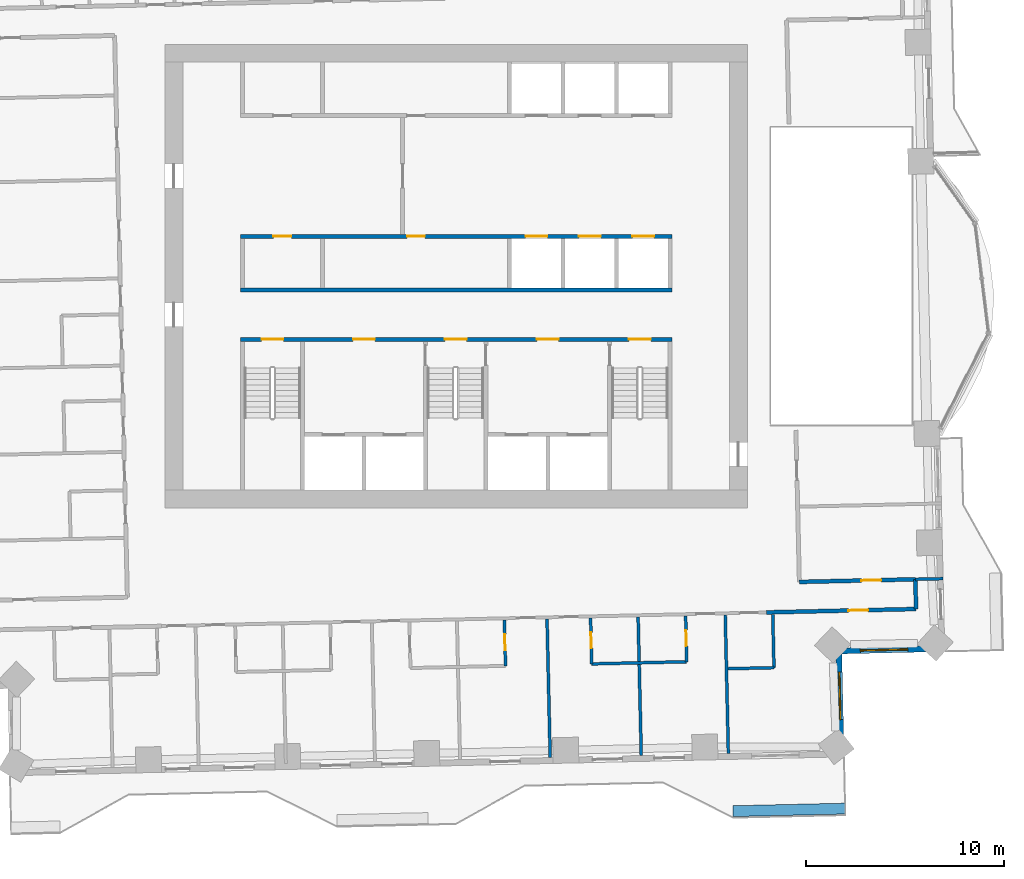
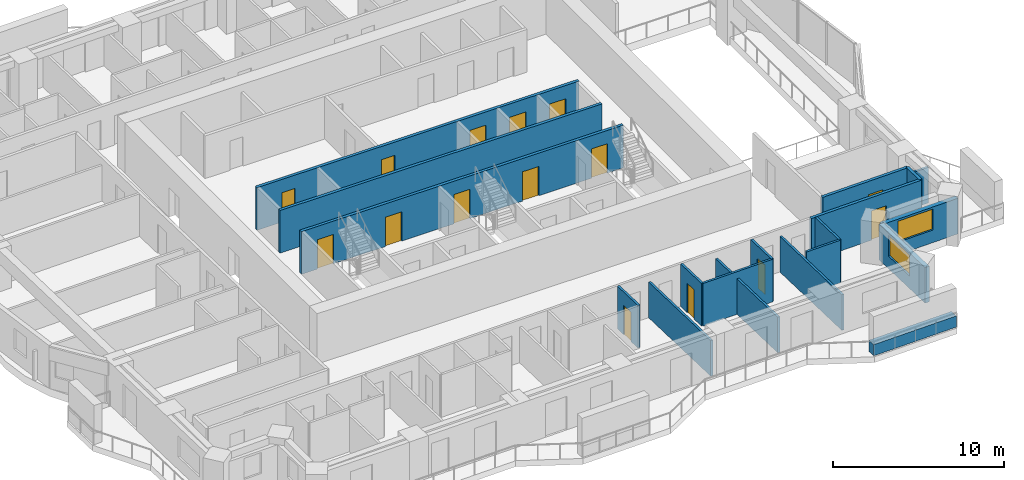
# One storey, part 8 of 16: 19 walls, 15 doors, 2 windows, 17 openings.
"""IFC4 building model written with IfcOpenShell, lengths in metres."""

from ifc_helpers import new_model, si_unit, direction, frame, frame_2d, origin, place, context, subcontext, project, spatial, rectangle, extrude, material, layer, layer_set, type_object, element, fill, save


model = new_model("IFC4")

# Units and contexts
model_context = context("Model", 3, precision=1e-05, world=origin(), true_north=direction((0.0, 1.0)))
body_context = subcontext(model_context, "Body", "Model", "MODEL_VIEW")
ifc_project = project(units=[si_unit("LENGTHUNIT", "METRE"), si_unit("AREAUNIT", "SQUARE_METRE"), si_unit("VOLUMEUNIT", "CUBIC_METRE"), si_unit("PLANEANGLEUNIT", "RADIAN"), si_unit("MASSUNIT", "GRAM", prefix="KILO")], contexts=[model_context])

# Site, building, storey
site_placement = place(None, origin())
site = spatial("IfcSite", under=ifc_project, at=site_placement, CompositionType="ELEMENT")
building_placement = place(site_placement, origin())
building = spatial("IfcBuilding", under=site, at=building_placement, Name="Mangrove Gate Tower", CompositionType="ELEMENT")
storey_placement = place(building_placement, frame((0.0, 0.0, 140.89990234375)))
storey = spatial("IfcBuildingStorey", under=building, at=storey_placement, Name="L35", CompositionType="ELEMENT", Elevation=140.89990234375)

# Wall
ifc_material_1 = material(Name="Concrete C70/85", Category="concrete")
ifc_layer_1 = layer(ifc_material_1, 0.199951171875)
ifc_layer_set_1 = layer_set([ifc_layer_1], Name="Core shaft wall 200 C70/85")
wall_type_1 = type_object("IfcWallType", Name="Core shaft wall 200 C70/85", PredefinedType="SHEAR", material=ifc_layer_set_1)
wall_1_placement = place(storey_placement, frame((-10.89990234375, -0.699951171875, 0.0), z_axis=(0.0, 0.0, 1.0), x_axis=(1.0, 0.0, 0.0)))
element("IfcWall", 1, at=wall_1_placement, inside=storey, type_object=wall_type_1, Name="WALL-L35-CORE-6", PredefinedType="SHEAR", context=body_context, shape_type="SweptSolid", body=[
    extrude(rectangle(XDim=21.7998046875, YDim=0.199951171875, at=frame_2d((10.89990234375, 0.0))), origin(), (0.0, 0.0, 1.0), 3.050048828125),
])

# Wall, openings, doors
wall_2_placement = place(storey_placement, frame((-10.89990234375, 2.0, 0.0), z_axis=(0.0, 0.0, 1.0), x_axis=(1.0, 0.0, 0.0)))
wall_2 = element("IfcWall", 2, at=wall_2_placement, inside=storey, type_object=wall_type_1, Name="WALL-L35-CORE-7", PredefinedType="SHEAR", context=body_context, shape_type="SweptSolid", body=[
    extrude(rectangle(XDim=21.7998046875, YDim=0.199951171875, at=frame_2d((10.89990234375, 0.0))), origin(), (0.0, 0.0, 1.0), 3.050048828125),
])
opening_1_placement = place(wall_2_placement, frame((14.39990234375, 0.0, 0.0)))
opening_1 = element("IfcOpeningElement", 3, at=opening_1_placement, cuts=wall_2, Name="Opening LD", PredefinedType="OPENING", context=body_context, shape_type="SweptSolid", body=[
    extrude(rectangle(XDim=1.10009765625, YDim=2.10009765625, at=frame_2d((0.550048828125, 1.050048828125))), frame((0.0, 0.10986328125, 0.0), z_axis=(0.0, -1.0, 0.0), x_axis=(1.0, 0.0, 0.0)), (0.0, 0.0, 1.0), 0.219970703125),
])
opening_2_placement = place(wall_2_placement, frame((17.10009765625, 0.0, 0.0)))
opening_2 = element("IfcOpeningElement", 4, at=opening_2_placement, cuts=wall_2, Name="Opening LD", PredefinedType="OPENING", context=body_context, shape_type="SweptSolid", body=[
    extrude(rectangle(XDim=1.10009765625, YDim=2.10009765625, at=frame_2d((0.550048828125, 1.050048828125))), frame((0.0, 0.10986328125, 0.0), z_axis=(0.0, -1.0, 0.0), x_axis=(1.0, 0.0, 0.0)), (0.0, 0.0, 1.0), 0.219970703125),
])
opening_3_placement = place(wall_2_placement, frame((19.800048828125, 0.0, 0.0)))
opening_3 = element("IfcOpeningElement", 5, at=opening_3_placement, cuts=wall_2, Name="Opening LD", PredefinedType="OPENING", context=body_context, shape_type="SweptSolid", body=[
    extrude(rectangle(XDim=1.10009765625, YDim=2.10009765625, at=frame_2d((0.550048828125, 1.050048828125))), frame((0.0, 0.10986328125, 0.0), z_axis=(0.0, -1.0, 0.0), x_axis=(1.0, 0.0, 0.0)), (0.0, 0.0, 1.0), 0.219970703125),
])
opening_4_placement = place(wall_2_placement, frame((1.675048828125, 0.0, 0.0)))
opening_4 = element("IfcOpeningElement", 6, at=opening_4_placement, cuts=wall_2, Name="Opening KD", PredefinedType="OPENING", context=body_context, shape_type="SweptSolid", body=[
    extrude(rectangle(XDim=0.89990234375, YDim=2.10009765625, at=frame_2d((0.449951171875, 1.050048828125))), frame((0.0, 0.10986328125, 0.0), z_axis=(0.0, -1.0, 0.0), x_axis=(1.0, 0.0, 0.0)), (0.0, 0.0, 1.0), 0.219970703125),
])
opening_5_placement = place(wall_2_placement, frame((8.425048828125, 0.0, 0.0)))
opening_5 = element("IfcOpeningElement", 7, at=opening_5_placement, cuts=wall_2, Name="Opening RD", PredefinedType="OPENING", context=body_context, shape_type="SweptSolid", body=[
    extrude(rectangle(XDim=0.89990234375, YDim=2.10009765625, at=frame_2d((0.449951171875, 1.050048828125))), frame((0.0, 0.10986328125, 0.0), z_axis=(0.0, -1.0, 0.0), x_axis=(1.0, 0.0, 0.0)), (0.0, 0.0, 1.0), 0.219970703125),
])
ifc_material_2 = material(Name="Fire-rated steel door set", Category="steel")
door_type_1 = type_object("IfcDoorType", Name="Core room door FD30S 900x2100", OperationType="SINGLE_SWING_RIGHT", PredefinedType="DOOR", material=ifc_material_2)
door_1_placement = place(opening_4_placement, origin())
door_1 = element("IfcDoor", 8, at=door_1_placement, inside=storey, type_object=door_type_1, Name="Core room door Refuse store", OperationType="SINGLE_SWING_RIGHT", OverallHeight=2.10009765625, OverallWidth=0.89990234375, PredefinedType="DOOR", context=body_context, shape_type="SweptSolid", body=[
    extrude(rectangle(XDim=0.89990234375, YDim=2.10009765625, at=frame_2d((0.449951171875, 1.050048828125))), frame((0.0, 0.02490234375, 0.0), z_axis=(0.0, -1.0, 0.0), x_axis=(1.0, 0.0, 0.0)), (0.0, 0.0, 1.0), 0.050048828125),
])
fill(opening_4, door_1)
ifc_material_3 = material(Name="Stainless steel 316", Category="steel")
door_type_2 = type_object("IfcDoorType", Name="Lift landing door 1100x2100", OperationType="SLIDING_TO_LEFT", PredefinedType="DOOR", material=ifc_material_3)
door_2_placement = place(opening_1_placement, origin())
door_2 = element("IfcDoor", 9, at=door_2_placement, inside=storey, type_object=door_type_2, Name="Landing door LD M01", OperationType="SLIDING_TO_LEFT", OverallHeight=2.10009765625, OverallWidth=1.10009765625, PredefinedType="DOOR", context=body_context, shape_type="SweptSolid", body=[
    extrude(rectangle(XDim=1.10009765625, YDim=2.10009765625, at=frame_2d((0.550048828125, 1.050048828125))), frame((0.0, 0.02490234375, 0.0), z_axis=(0.0, -1.0, 0.0), x_axis=(1.0, 0.0, 0.0)), (0.0, 0.0, 1.0), 0.050048828125),
])
fill(opening_1, door_2)
door_3_placement = place(opening_2_placement, origin())
door_3 = element("IfcDoor", 10, at=door_3_placement, inside=storey, type_object=door_type_2, Name="Landing door LD M02", OperationType="SLIDING_TO_LEFT", OverallHeight=2.10009765625, OverallWidth=1.10009765625, PredefinedType="DOOR", context=body_context, shape_type="SweptSolid", body=[
    extrude(rectangle(XDim=1.10009765625, YDim=2.10009765625, at=frame_2d((0.550048828125, 1.050048828125))), frame((0.0, 0.02490234375, 0.0), z_axis=(0.0, -1.0, 0.0), x_axis=(1.0, 0.0, 0.0)), (0.0, 0.0, 1.0), 0.050048828125),
])
fill(opening_2, door_3)
door_4_placement = place(opening_3_placement, origin())
door_4 = element("IfcDoor", 11, at=door_4_placement, inside=storey, type_object=door_type_2, Name="Landing door LD M03", OperationType="SLIDING_TO_LEFT", OverallHeight=2.10009765625, OverallWidth=1.10009765625, PredefinedType="DOOR", context=body_context, shape_type="SweptSolid", body=[
    extrude(rectangle(XDim=1.10009765625, YDim=2.10009765625, at=frame_2d((0.550048828125, 1.050048828125))), frame((0.0, 0.02490234375, 0.0), z_axis=(0.0, -1.0, 0.0), x_axis=(1.0, 0.0, 0.0)), (0.0, 0.0, 1.0), 0.050048828125),
])
fill(opening_3, door_4)
ifc_material_4 = material(Name="Fire-rated steel door set", Category="steel")
door_type_3 = type_object("IfcDoorType", Name="Riser door FD30S 900x2100", OperationType="SINGLE_SWING_LEFT", PredefinedType="DOOR", material=ifc_material_4)
door_5_placement = place(opening_5_placement, origin())
door_5 = element("IfcDoor", 12, at=door_5_placement, inside=storey, type_object=door_type_3, Name="Riser door Electrical room", OperationType="SINGLE_SWING_LEFT", OverallHeight=2.10009765625, OverallWidth=0.89990234375, PredefinedType="DOOR", context=body_context, shape_type="SweptSolid", body=[
    extrude(rectangle(XDim=0.89990234375, YDim=2.10009765625, at=frame_2d((0.449951171875, 1.050048828125))), frame((0.0, 0.02490234375, 0.0), z_axis=(0.0, -1.0, 0.0), x_axis=(1.0, 0.0, 0.0)), (0.0, 0.0, 1.0), 0.050048828125),
])
fill(opening_5, door_5)

ifc_material_5 = material(Name="Concrete C70/85", Category="concrete")
ifc_layer_2 = layer(ifc_material_5, 0.199951171875)
ifc_layer_set_2 = layer_set([ifc_layer_2], Name="Core stair wall 200 C70/85")
wall_type_2 = type_object("IfcWallType", Name="Core stair wall 200 C70/85", PredefinedType="SHEAR", material=ifc_layer_set_2)
wall_3_placement = place(storey_placement, frame((-10.89990234375, -3.199951171875, 0.0), z_axis=(0.0, 0.0, 1.0), x_axis=(1.0, 0.0, 0.0)))
wall_3 = element("IfcWall", 13, at=wall_3_placement, inside=storey, type_object=wall_type_2, Name="WALL-L35-CORE-5", PredefinedType="SHEAR", context=body_context, shape_type="SweptSolid", body=[
    extrude(rectangle(XDim=21.7998046875, YDim=0.199951171875, at=frame_2d((10.89990234375, 0.0))), origin(), (0.0, 0.0, 1.0), 3.050048828125),
])
opening_6_placement = place(wall_3_placement, frame((1.074951171875, 0.0, 0.0)))
opening_6 = element("IfcOpeningElement", 14, at=opening_6_placement, cuts=wall_3, Name="Opening STD11", PredefinedType="OPENING", context=body_context, shape_type="SweptSolid", body=[
    extrude(rectangle(XDim=1.10009765625, YDim=2.10009765625, at=frame_2d((0.550048828125, 1.050048828125))), frame((0.0, 0.10986328125, 0.0), z_axis=(0.0, -1.0, 0.0), x_axis=(1.0, 0.0, 0.0)), (0.0, 0.0, 1.0), 0.219970703125),
])
opening_7_placement = place(wall_3_placement, frame((10.324951171875, 0.0, 0.0)))
opening_7 = element("IfcOpeningElement", 15, at=opening_7_placement, cuts=wall_3, Name="Opening STD11", PredefinedType="OPENING", context=body_context, shape_type="SweptSolid", body=[
    extrude(rectangle(XDim=1.10009765625, YDim=2.10009765625, at=frame_2d((0.550048828125, 1.050048828125))), frame((0.0, 0.10986328125, 0.0), z_axis=(0.0, -1.0, 0.0), x_axis=(1.0, 0.0, 0.0)), (0.0, 0.0, 1.0), 0.219970703125),
])
opening_8_placement = place(wall_3_placement, frame((19.625, 0.0, 0.0)))
opening_8 = element("IfcOpeningElement", 16, at=opening_8_placement, cuts=wall_3, Name="Opening STD11", PredefinedType="OPENING", context=body_context, shape_type="SweptSolid", body=[
    extrude(rectangle(XDim=1.10009765625, YDim=2.10009765625, at=frame_2d((0.550048828125, 1.050048828125))), frame((0.0, 0.10986328125, 0.0), z_axis=(0.0, -1.0, 0.0), x_axis=(1.0, 0.0, 0.0)), (0.0, 0.0, 1.0), 0.219970703125),
])
opening_9_placement = place(wall_3_placement, frame((5.699951171875, 0.0, 0.0)))
opening_9 = element("IfcOpeningElement", 17, at=opening_9_placement, cuts=wall_3, Name="Opening FL", PredefinedType="OPENING", context=body_context, shape_type="SweptSolid", body=[
    extrude(rectangle(XDim=1.10009765625, YDim=2.10009765625, at=frame_2d((0.550048828125, 1.050048828125))), frame((0.0, 0.10986328125, 0.0), z_axis=(0.0, -1.0, 0.0), x_axis=(1.0, 0.0, 0.0)), (0.0, 0.0, 1.0), 0.219970703125),
])
opening_10_placement = place(wall_3_placement, frame((14.97509765625, 0.0, 0.0)))
opening_10 = element("IfcOpeningElement", 18, at=opening_10_placement, cuts=wall_3, Name="Opening FL", PredefinedType="OPENING", context=body_context, shape_type="SweptSolid", body=[
    extrude(rectangle(XDim=1.10009765625, YDim=2.10009765625, at=frame_2d((0.550048828125, 1.050048828125))), frame((0.0, 0.10986328125, 0.0), z_axis=(0.0, -1.0, 0.0), x_axis=(1.0, 0.0, 0.0)), (0.0, 0.0, 1.0), 0.219970703125),
])
ifc_material_6 = material(Name="Fire-rated steel door set", Category="steel")
door_type_4 = type_object("IfcDoorType", Name="Lobby door FD60 1100x2100", OperationType="SINGLE_SWING_LEFT", PredefinedType="DOOR", material=ifc_material_6)
door_6_placement = place(opening_9_placement, origin())
door_6 = element("IfcDoor", 19, at=door_6_placement, inside=storey, type_object=door_type_4, Name="Lobby door service lobby", OperationType="SINGLE_SWING_LEFT", OverallHeight=2.10009765625, OverallWidth=1.10009765625, PredefinedType="DOOR", context=body_context, shape_type="SweptSolid", body=[
    extrude(rectangle(XDim=1.10009765625, YDim=2.10009765625, at=frame_2d((0.550048828125, 1.050048828125))), frame((0.0, 0.02490234375, 0.0), z_axis=(0.0, -1.0, 0.0), x_axis=(1.0, 0.0, 0.0)), (0.0, 0.0, 1.0), 0.050048828125),
])
fill(opening_9, door_6)
door_7_placement = place(opening_10_placement, origin())
door_7 = element("IfcDoor", 20, at=door_7_placement, inside=storey, type_object=door_type_4, Name="Lobby door fire-fighting lobby", OperationType="SINGLE_SWING_LEFT", OverallHeight=2.10009765625, OverallWidth=1.10009765625, PredefinedType="DOOR", context=body_context, shape_type="SweptSolid", body=[
    extrude(rectangle(XDim=1.10009765625, YDim=2.10009765625, at=frame_2d((0.550048828125, 1.050048828125))), frame((0.0, 0.02490234375, 0.0), z_axis=(0.0, -1.0, 0.0), x_axis=(1.0, 0.0, 0.0)), (0.0, 0.0, 1.0), 0.050048828125),
])
fill(opening_10, door_7)
ifc_material_7 = material(Name="Fire-rated steel door set", Category="steel")
door_type_5 = type_object("IfcDoorType", Name="Stair door FD60 1100x2100", OperationType="SINGLE_SWING_RIGHT", PredefinedType="DOOR", material=ifc_material_7)
door_8_placement = place(opening_6_placement, origin())
door_8 = element("IfcDoor", 21, at=door_8_placement, inside=storey, type_object=door_type_5, Name="Stair door Stair 1", OperationType="SINGLE_SWING_RIGHT", OverallHeight=2.10009765625, OverallWidth=1.10009765625, PredefinedType="DOOR", context=body_context, shape_type="SweptSolid", body=[
    extrude(rectangle(XDim=1.10009765625, YDim=2.10009765625, at=frame_2d((0.550048828125, 1.050048828125))), frame((0.0, 0.02490234375, 0.0), z_axis=(0.0, -1.0, 0.0), x_axis=(1.0, 0.0, 0.0)), (0.0, 0.0, 1.0), 0.050048828125),
])
fill(opening_6, door_8)
door_9_placement = place(opening_7_placement, origin())
door_9 = element("IfcDoor", 22, at=door_9_placement, inside=storey, type_object=door_type_5, Name="Stair door Stair 2", OperationType="SINGLE_SWING_RIGHT", OverallHeight=2.10009765625, OverallWidth=1.10009765625, PredefinedType="DOOR", context=body_context, shape_type="SweptSolid", body=[
    extrude(rectangle(XDim=1.10009765625, YDim=2.10009765625, at=frame_2d((0.550048828125, 1.050048828125))), frame((0.0, 0.02490234375, 0.0), z_axis=(0.0, -1.0, 0.0), x_axis=(1.0, 0.0, 0.0)), (0.0, 0.0, 1.0), 0.050048828125),
])
fill(opening_7, door_9)
door_10_placement = place(opening_8_placement, origin())
door_10 = element("IfcDoor", 23, at=door_10_placement, inside=storey, type_object=door_type_5, Name="Stair door Stair 3", OperationType="SINGLE_SWING_RIGHT", OverallHeight=2.10009765625, OverallWidth=1.10009765625, PredefinedType="DOOR", context=body_context, shape_type="SweptSolid", body=[
    extrude(rectangle(XDim=1.10009765625, YDim=2.10009765625, at=frame_2d((0.550048828125, 1.050048828125))), frame((0.0, 0.02490234375, 0.0), z_axis=(0.0, -1.0, 0.0), x_axis=(1.0, 0.0, 0.0)), (0.0, 0.0, 1.0), 0.050048828125),
])
fill(opening_8, door_10)

# Wall
ifc_material_8 = material(Name="Gypsum board on steel stud, EI 60", Category="steel")
ifc_layer_3 = layer(ifc_material_8, 0.199951171875)
ifc_layer_set_3 = layer_set([ifc_layer_3], Name="Corridor wall EI 60")
wall_type_3 = type_object("IfcWallType", Name="Corridor wall EI 60", PredefinedType="PARTITIONING", material=ifc_layer_set_3)
wall_4_placement = place(storey_placement, frame((23.219970703125, -16.81494140625, 0.0), z_axis=(0.0, 0.0, 1.0), x_axis=(-0.022617910375, 0.999744182344, 0.0)))
element("IfcWall", 24, at=wall_4_placement, inside=storey, type_object=wall_type_3, Name="WALL-L35-025", PredefinedType="PARTITIONING", context=body_context, shape_type="SweptSolid", body=[
    extrude(rectangle(XDim=1.50048828125, YDim=0.199951171875, at=frame_2d((0.750244140625, 0.0))), origin(), (0.0, 0.0, 1.0), 3.050048828125),
])

# Wall, opening, door
wall_5_placement = place(storey_placement, frame((15.657958984375, -16.98193359375, 0.0), z_axis=(0.0, 0.0, 1.0), x_axis=(0.99974485859, 0.022587999516, 0.0)))
wall_5 = element("IfcWall", 25, at=wall_5_placement, inside=storey, type_object=wall_type_3, Name="WALL-L35-028", PredefinedType="PARTITIONING", context=body_context, shape_type="SweptSolid", body=[
    extrude(rectangle(XDim=7.56591796875, YDim=0.199951171875, at=frame_2d((3.782958984375, 0.0))), origin(), (0.0, 0.0, 1.0), 3.050048828125),
])
opening_11_placement = place(wall_5_placement, frame((4.14404296875, 0.0, 0.0)))
opening_11 = element("IfcOpeningElement", 26, at=opening_11_placement, cuts=wall_5, Name="Opening AD", PredefinedType="OPENING", context=body_context, shape_type="SweptSolid", body=[
    extrude(rectangle(XDim=1.0, YDim=2.10009765625, at=frame_2d((0.5, 1.050048828125))), frame((0.0, 0.10986328125, 0.0), z_axis=(0.0, -1.0, 0.0), x_axis=(1.0, 0.0, 0.0)), (0.0, 0.0, 1.0), 0.219970703125),
])
ifc_material_9 = material(Name="Timber door leaf", Category="wood")
door_type_6 = type_object("IfcDoorType", Name="Amenity door 1000", OperationType="SINGLE_SWING_LEFT", PredefinedType="DOOR", material=ifc_material_9)
door_11_placement = place(opening_11_placement, origin())
door_11 = element("IfcDoor", 27, at=door_11_placement, inside=storey, type_object=door_type_6, Name="DOOR-L35-GAM-c3a", OperationType="SINGLE_SWING_RIGHT", OverallHeight=2.10009765625, OverallWidth=1.0, PredefinedType="DOOR", context=body_context, shape_type="SweptSolid", body=[
    extrude(rectangle(XDim=1.0, YDim=2.10009765625, at=frame_2d((0.5, 1.050048828125))), frame((0.0, 0.02490234375, 0.0), z_axis=(0.0, -1.0, 0.0), x_axis=(1.0, 0.0, 0.0)), (0.0, 0.0, 1.0), 0.050048828125),
])
fill(opening_11, door_11)

wall_6_placement = place(storey_placement, frame((17.322998046875, -15.444091796875, 0.0), z_axis=(0.0, 0.0, 1.0), x_axis=(0.999742758565, 0.022680756085, 0.0)))
wall_6 = element("IfcWall", 28, at=wall_6_placement, inside=storey, type_object=wall_type_3, Name="WALL-L35-033", PredefinedType="PARTITIONING", context=body_context, shape_type="SweptSolid", body=[
    extrude(rectangle(XDim=5.866455078125, YDim=0.199951171875, at=frame_2d((2.93310546875, 0.0))), origin(), (0.0, 0.0, 1.0), 3.050048828125),
])
opening_12_placement = place(wall_6_placement, frame((3.134033203125, 0.0, 0.0)))
opening_12 = element("IfcOpeningElement", 29, at=opening_12_placement, cuts=wall_6, Name="Opening AD", PredefinedType="OPENING", context=body_context, shape_type="SweptSolid", body=[
    extrude(rectangle(XDim=1.0, YDim=2.10009765625, at=frame_2d((0.5, 1.050048828125))), frame((0.0, 0.10986328125, 0.0), z_axis=(0.0, -1.0, 0.0), x_axis=(1.0, 0.0, 0.0)), (0.0, 0.0, 1.0), 0.219970703125),
])
door_12_placement = place(opening_12_placement, origin())
door_12 = element("IfcDoor", 30, at=door_12_placement, inside=storey, type_object=door_type_6, Name="DOOR-L35-KIT-c3a", OperationType="SINGLE_SWING_LEFT", OverallHeight=2.10009765625, OverallWidth=1.0, PredefinedType="DOOR", context=body_context, shape_type="SweptSolid", body=[
    extrude(rectangle(XDim=1.0, YDim=2.10009765625, at=frame_2d((0.5, 1.050048828125))), frame((0.0, 0.02490234375, 0.0), z_axis=(0.0, -1.0, 0.0), x_axis=(1.0, 0.0, 0.0)), (0.0, 0.0, 1.0), 0.050048828125),
])
fill(opening_12, door_12)

# Wall, opening, window
ifc_material_10 = material(Name="Limestone", Category="masonry")
ifc_layer_4 = layer(ifc_material_10, 0.0400390625, Name="Limestone cladding")
ifc_material_11 = material(Name="Ventilated air gap")
ifc_layer_5 = layer(ifc_material_11, 0.0400390625, Name="Ventilated cavity")
ifc_material_12 = material(Name="Mineral wool insulation")
ifc_layer_6 = layer(ifc_material_12, 0.06005859375, Name="Insulation")
ifc_material_13 = material(Name="Breather membrane")
ifc_layer_7 = layer(ifc_material_13, 0.001953125, Name="Breather membrane")
ifc_material_14 = material(Name="Concrete C20/25 blockwork", Category="masonry")
ifc_layer_8 = layer(ifc_material_14, 0.14990234375, Name="Blockwork backing wall")
ifc_material_15 = material(Name="Gypsum plaster")
ifc_layer_9 = layer(ifc_material_15, 0.008056640625, Name="Internal plaster")
ifc_layer_set_4 = layer_set([ifc_layer_4, ifc_layer_5, ifc_layer_6, ifc_layer_7, ifc_layer_8, ifc_layer_9], Name="External wall 300 limestone cladding")
wall_type_4 = type_object("IfcWallType", Name="External wall 300 limestone cladding", PredefinedType="SOLIDWALL", material=ifc_layer_set_4)
wall_7_placement = place(storey_placement, frame((19.43701171875, -24.12890625, 0.0), z_axis=(0.0, 0.0, 1.0), x_axis=(-0.022675548694, 0.99974287669, 0.0)))
wall_7 = element("IfcWall", 31, at=wall_7_placement, inside=storey, type_object=wall_type_4, Name="WALL-L35-E14", PredefinedType="SOLIDWALL", context=body_context, shape_type="SweptSolid", body=[
    extrude(rectangle(XDim=5.2001953125, YDim=0.300048828125, at=frame_2d((2.60009765625, 0.0))), origin(), (0.0, 0.0, 1.0), 2.550048828125),
])
opening_13_placement = place(wall_7_placement, frame((1.736083984375, 0.0, 0.89990234375)))
opening_13 = element("IfcOpeningElement", 32, at=opening_13_placement, cuts=wall_7, Name="Opening W2", PredefinedType="OPENING", context=body_context, shape_type="SweptSolid", body=[
    extrude(rectangle(XDim=2.39990234375, YDim=1.5, at=frame_2d((1.199951171875, 0.75))), frame((0.0, 0.159912109375, 0.0), z_axis=(0.0, -1.0, 0.0), x_axis=(1.0, 0.0, 0.0)), (0.0, 0.0, 1.0), 0.320068359375),
])
ifc_material_16 = material(Name="Aluminium frame with double-glazed low-e glass", Category="aluminium")
window_type = type_object("IfcWindowType", Name="Corner room window 2400x1500", PartitioningType="DOUBLE_PANEL_VERTICAL", PredefinedType="WINDOW", material=ifc_material_16)
window_1_placement = place(opening_13_placement, origin())
window_1 = element("IfcWindow", 33, at=window_1_placement, inside=storey, type_object=window_type, Name="WIN-L35-E14-1", OverallHeight=1.5, OverallWidth=2.39990234375, PartitioningType="DOUBLE_PANEL_VERTICAL", PredefinedType="WINDOW", context=body_context, shape_type="SweptSolid", body=[
    extrude(rectangle(XDim=2.39990234375, YDim=1.5, at=frame_2d((1.199951171875, 0.75))), frame((0.0, 0.030029296875, 0.0), z_axis=(0.0, -1.0, 0.0), x_axis=(1.0, 0.0, 0.0)), (0.0, 0.0, 1.0), 0.06005859375),
])
fill(opening_13, window_1)

wall_8_placement = place(storey_placement, frame((19.319091796875, -18.929931640625, 0.0), z_axis=(0.0, 0.0, 1.0), x_axis=(0.99974287669, 0.022675548694, 0.0)))
wall_8 = element("IfcWall", 34, at=wall_8_placement, inside=storey, type_object=wall_type_4, Name="WALL-L35-S15", PredefinedType="SOLIDWALL", context=body_context, shape_type="SweptSolid", body=[
    extrude(rectangle(XDim=5.2001953125, YDim=0.300048828125, at=frame_2d((2.60009765625, 0.0))), origin(), (0.0, 0.0, 1.0), 2.550048828125),
])
opening_14_placement = place(wall_8_placement, frame((1.083984375, 0.0, 0.89990234375)))
opening_14 = element("IfcOpeningElement", 35, at=opening_14_placement, cuts=wall_8, Name="Opening W2", PredefinedType="OPENING", context=body_context, shape_type="SweptSolid", body=[
    extrude(rectangle(XDim=2.39990234375, YDim=1.5, at=frame_2d((1.199951171875, 0.75))), frame((0.0, 0.159912109375, 0.0), z_axis=(0.0, -1.0, 0.0), x_axis=(1.0, 0.0, 0.0)), (0.0, 0.0, 1.0), 0.320068359375),
])
window_2_placement = place(opening_14_placement, origin())
window_2 = element("IfcWindow", 36, at=window_2_placement, inside=storey, type_object=window_type, Name="WIN-L35-S15-1", OverallHeight=1.5, OverallWidth=2.39990234375, PartitioningType="DOUBLE_PANEL_VERTICAL", PredefinedType="WINDOW", context=body_context, shape_type="SweptSolid", body=[
    extrude(rectangle(XDim=2.39990234375, YDim=1.5, at=frame_2d((1.199951171875, 0.75))), frame((0.0, 0.030029296875, 0.0), z_axis=(0.0, -1.0, 0.0), x_axis=(1.0, 0.0, 0.0)), (0.0, 0.0, 1.0), 0.06005859375),
])
fill(opening_14, window_2)

# Walls
ifc_material_17 = material(Name="Gypsum board on steel stud, EI 60", Category="steel")
ifc_layer_10 = layer(ifc_material_17, 0.14990234375)
ifc_layer_set_5 = layer_set([ifc_layer_10], Name="Party wall 150 EI 60")
wall_type_5 = type_object("IfcWallType", Name="Party wall 150 EI 60", PredefinedType="PARTITIONING", material=ifc_layer_set_5)
wall_9_placement = place(storey_placement, frame((4.74609375, -24.31201171875, 0.0), z_axis=(0.0, 0.0, 1.0), x_axis=(-0.022737248567, 0.999741475346, 0.0)))
element("IfcWall", 37, at=wall_9_placement, inside=storey, type_object=wall_type_5, Name="WALL-L35-006", PredefinedType="PARTITIONING", context=body_context, shape_type="SweptSolid", body=[
    extrude(rectangle(XDim=7.000732421875, YDim=0.14990234375, at=frame_2d((3.50048828125, 0.0))), origin(), (0.0, 0.0, 1.0), 2.550048828125),
])
for number, where, z_axis, x_axis, name in (
    (38, (9.344970703125, -24.2080078125, 0.0), (0.0, 0.0, 1.0), (-0.022699227919, 0.999742339331, 0.0), "WALL-L35-007"),
    (39, (13.742919921875, -24.10791015625, 0.0), (0.0, 0.0, 1.0), (-0.02255982614, 0.999745494736, 0.0), "WALL-L35-008"),
):
    element("IfcWall", number, at=place(storey_placement, frame(where, z_axis=z_axis, x_axis=x_axis)), inside=storey, type_object=wall_type_5, Name=name, PredefinedType="PARTITIONING", context=body_context, shape_type="SweptSolid", body=[
        extrude(rectangle(XDim=7.001708984375, YDim=0.14990234375, at=frame_2d((3.5009765625, 0.0))), origin(), (0.0, 0.0, 1.0), 2.550048828125),
    ])
wall_10_placement = place(storey_placement, frame((16.0458984375, -19.778076171875, 0.0), z_axis=(0.0, 0.0, 1.0), x_axis=(-0.022518033722, 0.999746436932, 0.0)))
element("IfcWall", 40, at=wall_10_placement, inside=storey, type_object=wall_type_5, Name="WALL-L35-009", PredefinedType="PARTITIONING", context=body_context, shape_type="SweptSolid", body=[
    extrude(rectangle(XDim=2.69970703125, YDim=0.14990234375, at=frame_2d((1.349853515625, 0.0))), origin(), (0.0, 0.0, 1.0), 3.050048828125),
])
wall_11_placement = place(storey_placement, frame((13.718994140625, -19.826904296875, 0.0), z_axis=(0.0, 0.0, 1.0), x_axis=(0.999740478815, 0.022781023197, 0.0)))
element("IfcWall", 41, at=wall_11_placement, inside=storey, type_object=wall_type_5, Name="WALL-L35-010", PredefinedType="PARTITIONING", context=body_context, shape_type="SweptSolid", body=[
    extrude(rectangle(XDim=2.325439453125, YDim=0.14990234375, at=frame_2d((1.16259765625, 0.0))), origin(), (0.0, 0.0, 1.0), 3.050048828125),
])

# Wall, opening, door
wall_12_placement = place(storey_placement, frame((2.489990234375, -19.68603515625, 0.0), z_axis=(0.0, 0.0, 1.0), x_axis=(-0.022781023197, 0.999740478815, 0.0)))
wall_12 = element("IfcWall", 42, at=wall_12_placement, inside=storey, type_object=wall_type_5, Name="WALL-L35-017", PredefinedType="PARTITIONING", context=body_context, shape_type="SweptSolid", body=[
    extrude(rectangle(XDim=2.325439453125, YDim=0.14990234375, at=frame_2d((1.16259765625, 0.0))), origin(), (0.0, 0.0, 1.0), 3.050048828125),
])
opening_15_placement = place(wall_12_placement, frame((0.800048828125, 0.0, 0.0)))
opening_15 = element("IfcOpeningElement", 43, at=opening_15_placement, cuts=wall_12, Name="Opening ED", PredefinedType="OPENING", context=body_context, shape_type="SweptSolid", body=[
    extrude(rectangle(XDim=0.800048828125, YDim=2.10009765625, at=frame_2d((0.39990234375, 1.050048828125))), frame((0.0, 0.0849609375, 0.0), z_axis=(0.0, -1.0, 0.0), x_axis=(1.0, 0.0, 0.0)), (0.0, 0.0, 1.0), 0.169921875),
])
ifc_material_18 = material(Name="Timber door leaf", Category="wood")
door_type_7 = type_object("IfcDoorType", Name="En-suite door 800", OperationType="SINGLE_SWING_LEFT", PredefinedType="DOOR", material=ifc_material_18)
door_13_placement = place(opening_15_placement, origin())
door_13 = element("IfcDoor", 44, at=door_13_placement, inside=storey, type_object=door_type_7, Name="DOOR-L35-ENS-c205", OperationType="SINGLE_SWING_LEFT", OverallHeight=2.10009765625, OverallWidth=0.800048828125, PredefinedType="DOOR", context=body_context, shape_type="SweptSolid", body=[
    extrude(rectangle(XDim=0.800048828125, YDim=2.10009765625, at=frame_2d((0.39990234375, 1.050048828125))), frame((0.0, 0.02490234375, 0.0), z_axis=(0.0, -1.0, 0.0), x_axis=(1.0, 0.0, 0.0)), (0.0, 0.0, 1.0), 0.050048828125),
])
fill(opening_15, door_13)

wall_13_placement = place(storey_placement, frame((6.839111328125, -19.5869140625, 0.0), z_axis=(0.0, 0.0, 1.0), x_axis=(-0.022895561926, 0.999737862264, 0.0)))
wall_13 = element("IfcWall", 45, at=wall_13_placement, inside=storey, type_object=wall_type_5, Name="WALL-L35-018", PredefinedType="PARTITIONING", context=body_context, shape_type="SweptSolid", body=[
    extrude(rectangle(XDim=2.324462890625, YDim=0.14990234375, at=frame_2d((1.162109375, 0.0))), origin(), (0.0, 0.0, 1.0), 3.050048828125),
])
opening_16_placement = place(wall_13_placement, frame((0.800048828125, 0.0, 0.0)))
opening_16 = element("IfcOpeningElement", 46, at=opening_16_placement, cuts=wall_13, Name="Opening ED", PredefinedType="OPENING", context=body_context, shape_type="SweptSolid", body=[
    extrude(rectangle(XDim=0.800048828125, YDim=2.10009765625, at=frame_2d((0.39990234375, 1.050048828125))), frame((0.0, 0.0849609375, 0.0), z_axis=(0.0, -1.0, 0.0), x_axis=(1.0, 0.0, 0.0)), (0.0, 0.0, 1.0), 0.169921875),
])
door_14_placement = place(opening_16_placement, origin())
door_14 = element("IfcDoor", 47, at=door_14_placement, inside=storey, type_object=door_type_7, Name="DOOR-L35-ENS-c206", OperationType="SINGLE_SWING_RIGHT", OverallHeight=2.10009765625, OverallWidth=0.800048828125, PredefinedType="DOOR", context=body_context, shape_type="SweptSolid", body=[
    extrude(rectangle(XDim=0.800048828125, YDim=2.10009765625, at=frame_2d((0.39990234375, 1.050048828125))), frame((0.0, 0.02490234375, 0.0), z_axis=(0.0, -1.0, 0.0), x_axis=(1.0, 0.0, 0.0)), (0.0, 0.0, 1.0), 0.050048828125),
])
fill(opening_16, door_14)

wall_14_placement = place(storey_placement, frame((11.637939453125, -19.47802734375, 0.0), z_axis=(0.0, 0.0, 1.0), x_axis=(-0.02279059109, 0.999740260747, 0.0)))
wall_14 = element("IfcWall", 48, at=wall_14_placement, inside=storey, type_object=wall_type_5, Name="WALL-L35-019", PredefinedType="PARTITIONING", context=body_context, shape_type="SweptSolid", body=[
    extrude(rectangle(XDim=2.324462890625, YDim=0.14990234375, at=frame_2d((1.162109375, 0.0))), origin(), (0.0, 0.0, 1.0), 3.050048828125),
])
opening_17_placement = place(wall_14_placement, frame((0.800048828125, 0.0, 0.0)))
opening_17 = element("IfcOpeningElement", 49, at=opening_17_placement, cuts=wall_14, Name="Opening ED", PredefinedType="OPENING", context=body_context, shape_type="SweptSolid", body=[
    extrude(rectangle(XDim=0.800048828125, YDim=2.10009765625, at=frame_2d((0.39990234375, 1.050048828125))), frame((0.0, 0.0849609375, 0.0), z_axis=(0.0, -1.0, 0.0), x_axis=(1.0, 0.0, 0.0)), (0.0, 0.0, 1.0), 0.169921875),
])
door_15_placement = place(opening_17_placement, origin())
door_15 = element("IfcDoor", 50, at=door_15_placement, inside=storey, type_object=door_type_7, Name="DOOR-L35-ENS-c307", OperationType="SINGLE_SWING_LEFT", OverallHeight=2.10009765625, OverallWidth=0.800048828125, PredefinedType="DOOR", context=body_context, shape_type="SweptSolid", body=[
    extrude(rectangle(XDim=0.800048828125, YDim=2.10009765625, at=frame_2d((0.39990234375, 1.050048828125))), frame((0.0, 0.02490234375, 0.0), z_axis=(0.0, -1.0, 0.0), x_axis=(1.0, 0.0, 0.0)), (0.0, 0.0, 1.0), 0.050048828125),
])
fill(opening_17, door_15)

# Walls
wall_15_placement = place(storey_placement, frame((6.8369140625, -19.5830078125, 0.0), z_axis=(0.0, 0.0, 1.0), x_axis=(0.999742701292, 0.022683280499, 0.0)))
element("IfcWall", 51, at=wall_15_placement, inside=storey, type_object=wall_type_5, Name="WALL-L35-023", PredefinedType="PARTITIONING", context=body_context, shape_type="SweptSolid", body=[
    extrude(rectangle(XDim=4.80029296875, YDim=0.14990234375, at=frame_2d((2.400146484375, 0.0))), origin(), (0.0, 0.0, 1.0), 3.050048828125),
])
wall_16_placement = place(storey_placement, frame((23.18408203125, -15.31103515625, 0.0), z_axis=(0.0, 0.0, 1.0), x_axis=(0.999740577356, 0.022776698371, 0.0)))
element("IfcWall", 52, at=wall_16_placement, inside=storey, type_object=wall_type_5, Name="WALL-L35-034", PredefinedType="PARTITIONING", context=body_context, shape_type="SweptSolid", body=[
    extrude(rectangle(XDim=1.404052734375, YDim=0.14990234375, at=frame_2d((0.7021484375, 0.0))), origin(), (0.0, 0.0, 1.0), 2.550048828125),
])
ifc_material_19 = material(Name="Concrete C32/40", Category="concrete")
ifc_layer_11 = layer(ifc_material_19, 0.199951171875, Name="Planter trough wall")
ifc_material_20 = material(Name="Bituminous waterproofing membrane")
ifc_layer_12 = layer(ifc_material_20, 0.0048828125, Name="Waterproofing")
ifc_material_21 = material(Name="Drainage board and gravel")
ifc_layer_13 = layer(ifc_material_21, 0.044921875, Name="Drainage layer")
ifc_material_22 = material(Name="Planting soil")
ifc_layer_14 = layer(ifc_material_22, 0.300048828125, Name="Growing medium")
ifc_layer_set_6 = layer_set([ifc_layer_11, ifc_layer_12, ifc_layer_13, ifc_layer_14], Name="Planter wall 550 C32/40")
wall_type_6 = type_object("IfcWallType", Name="Planter wall 550 C32/40", PredefinedType="USERDEFINED", material=ifc_layer_set_6)
wall_17_placement = place(storey_placement, frame((13.97998046875, -27.01806640625, 0.0), z_axis=(0.0, 0.0, 1.0), x_axis=(0.999740678608, 0.022772253659, 0.0)))
element("IfcWall", 53, at=wall_17_placement, inside=storey, type_object=wall_type_6, Name="PLANTER L35 S1.1", ObjectType="PLANTER", PredefinedType="USERDEFINED", context=body_context, shape_type="SweptSolid", body=[
    extrude(rectangle(XDim=5.67138671875, YDim=0.550048828125, at=frame_2d((2.835693359375, 0.0))), origin(), (0.0, 0.0, 1.0), 0.800048828125),
])

save(model, "model.ifc")
